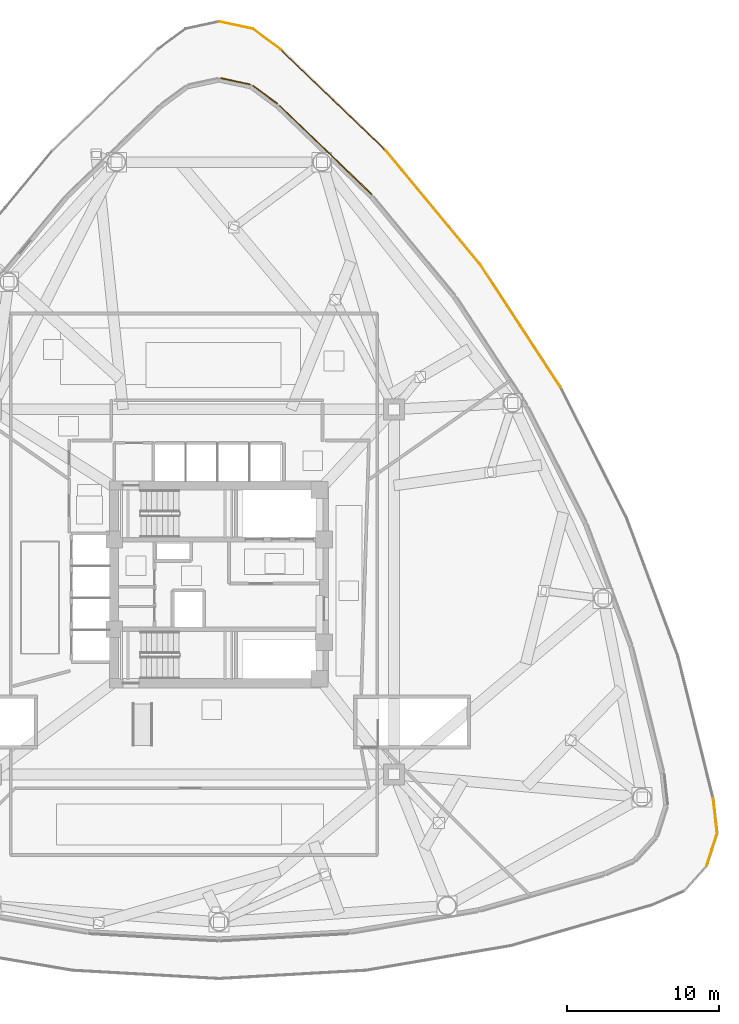
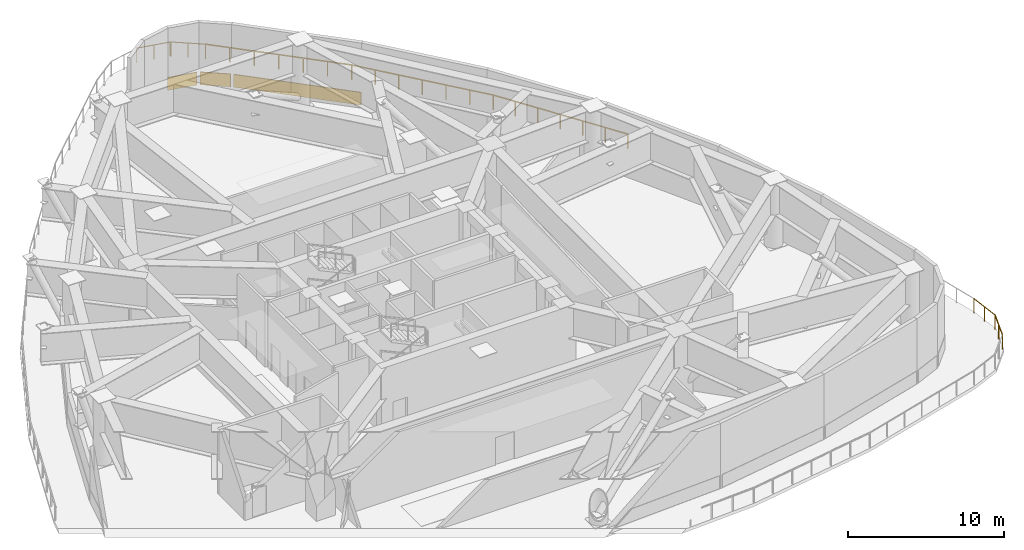
# One storey, part 9 of 9: 7 railings, 3 coverings.
"""IFC4 building model written with IfcOpenShell, lengths in metres."""

from ifc_helpers import new_model, si_unit, direction, frame, origin, origin_2d, place, context, subcontext, project, spatial, rectangle, extrude, material, layer, layer_set, type_object, element, save


model = new_model("IFC4")

# Units and contexts
model_context = context("Model", 3, precision=1e-05, world=origin(), true_north=direction((0.0, 1.0)))
body_context = subcontext(model_context, "Body", "Model", "MODEL_VIEW")
ifc_project = project(units=[si_unit("LENGTHUNIT", "METRE"), si_unit("AREAUNIT", "SQUARE_METRE"), si_unit("VOLUMEUNIT", "CUBIC_METRE"), si_unit("PLANEANGLEUNIT", "RADIAN"), si_unit("MASSUNIT", "GRAM", prefix="KILO")], contexts=[model_context])

# Site, building, storey
site_placement = place(None, origin())
site = spatial("IfcSite", under=ifc_project, at=site_placement, CompositionType="ELEMENT")
building_placement = place(site_placement, origin())
building = spatial("IfcBuilding", under=site, at=building_placement, Name="Tavelor Broadcast Tower", CompositionType="ELEMENT")
storey_placement = place(building_placement, frame((0.0, 0.0, 22.199951171875)))
storey = spatial("IfcBuildingStorey", under=building, at=storey_placement, Name="L04", CompositionType="ELEMENT", Elevation=22.199951171875)

# Railings
ifc_material_1 = material(Name="Steel S355", Category="steel")
railing_type = type_object("IfcRailingType", Name="Planted Terrace Laminated Glass Balustrade 1150 mm", PredefinedType="BALUSTRADE", material=ifc_material_1)
railing_1_placement = place(storey_placement, frame((54.02880859375, 80.173583984375, 0.0)))
element("IfcRailing", 1, at=railing_1_placement, inside=storey, type_object=railing_type, Name="L04 Cascading Garden Terrace 1 Balustrade #94", PredefinedType="BALUSTRADE", context=body_context, shape_type="SweptSolid", body=[
    extrude(rectangle(XDim=0.048095703125, YDim=0.048095703125, at=origin_2d()), frame((0.0, 0.0, 1.1259765625), z_axis=(-0.804383976987, 0.594109768954, 0.0), x_axis=(-0.594109768954, -0.804383976987, 0.0)), (0.0, 0.0, 1.0), 2.294189453125),
    extrude(rectangle(XDim=0.0419921875, YDim=0.0419921875, at=origin_2d()), origin(), (0.0, 0.0, 1.0), 1.101806640625),
    extrude(rectangle(XDim=0.0419921875, YDim=0.0419921875, at=origin_2d()), frame((-0.9228515625, 0.681640625, 0.0)), (0.0, 0.0, 1.0), 1.101806640625),
    extrude(rectangle(XDim=0.0419921875, YDim=0.0419921875, at=origin_2d()), frame((-1.845458984375, 1.363037109375, 0.0)), (0.0, 0.0, 1.0), 1.101806640625),
])
railing_2_placement = place(storey_placement, frame((52.2216796875, 81.519287109375, 0.0)))
element("IfcRailing", 2, at=railing_2_placement, inside=storey, type_object=railing_type, Name="L04 Cascading Garden Terrace 1 Balustrade #95", PredefinedType="BALUSTRADE", context=body_context, shape_type="SweptSolid", body=[
    extrude(rectangle(XDim=0.048095703125, YDim=0.048095703125, at=origin_2d()), frame((0.0, 0.0, 1.1259765625), z_axis=(-0.977593237973, 0.210502876629, 0.0), x_axis=(-0.210502876629, -0.977593237973, 0.0)), (0.0, 0.0, 1.0), 2.294189453125),
    extrude(rectangle(XDim=0.0419921875, YDim=0.0419921875, at=origin_2d()), origin(), (0.0, 0.0, 1.0), 1.101806640625),
    extrude(rectangle(XDim=0.0419921875, YDim=0.0419921875, at=origin_2d()), frame((-1.121337890625, 0.241455078125, 0.0)), (0.0, 0.0, 1.0), 1.101806640625),
    extrude(rectangle(XDim=0.0419921875, YDim=0.0419921875, at=origin_2d()), frame((-2.24267578125, 0.48291015625, 0.0)), (0.0, 0.0, 1.0), 1.101806640625),
])
railing_3_placement = place(storey_placement, frame((82.0341796875, 26.480712890625, 0.0)))
element("IfcRailing", 3, at=railing_3_placement, inside=storey, type_object=railing_type, Name="L04 Cascading Garden Terrace 1 Balustrade #116", PredefinedType="BALUSTRADE", context=body_context, shape_type="SweptSolid", body=[
    extrude(rectangle(XDim=0.048095703125, YDim=0.048095703125, at=origin_2d()), frame((0.0, 0.0, 1.1259765625), z_axis=(0.306601639197, 0.951837924671, 0.0), x_axis=(-0.951837924671, 0.306601639197, 0.0)), (0.0, 0.0, 1.0), 2.294189453125),
    extrude(rectangle(XDim=0.0419921875, YDim=0.0419921875, at=origin_2d()), origin(), (0.0, 0.0, 1.0), 1.101806640625),
    extrude(rectangle(XDim=0.0419921875, YDim=0.0419921875, at=origin_2d()), frame((0.3515625, 1.091796875, 0.0)), (0.0, 0.0, 1.0), 1.101806640625),
    extrude(rectangle(XDim=0.0419921875, YDim=0.0419921875, at=origin_2d()), frame((0.703369140625, 2.18359375, 0.0)), (0.0, 0.0, 1.0), 1.101806640625),
])
railing_4_placement = place(storey_placement, frame((82.7333984375, 28.62255859375, 0.0)))
element("IfcRailing", 4, at=railing_4_placement, inside=storey, type_object=railing_type, Name="L04 Cascading Garden Terrace 1 Balustrade #117", PredefinedType="BALUSTRADE", context=body_context, shape_type="SweptSolid", body=[
    extrude(rectangle(XDim=0.048095703125, YDim=0.048095703125, at=origin_2d()), frame((0.0, 0.0, 1.1259765625), z_axis=(-0.112381956405, 0.993665082346, 0.0), x_axis=(-0.993665082346, -0.112381956405, 0.0)), (0.0, 0.0, 1.0), 2.294189453125),
    extrude(rectangle(XDim=0.0419921875, YDim=0.0419921875, at=origin_2d()), origin(), (0.0, 0.0, 1.0), 1.101806640625),
    extrude(rectangle(XDim=0.0419921875, YDim=0.0419921875, at=origin_2d()), frame((-0.12890625, 1.1396484375, 0.0)), (0.0, 0.0, 1.0), 1.101806640625),
    extrude(rectangle(XDim=0.0419921875, YDim=0.0419921875, at=origin_2d()), frame((-0.2578125, 2.279541015625, 0.0)), (0.0, 0.0, 1.0), 1.101806640625),
])
railing_5_placement = place(storey_placement, frame((72.44189453125, 57.9501953125, 0.0)))
element("IfcRailing", 5, at=railing_5_placement, inside=storey, type_object=railing_type, Name="L04 Cascading Garden Terrace 1 Balustrade #121", PredefinedType="BALUSTRADE", context=body_context, shape_type="SweptSolid", body=[
    extrude(rectangle(XDim=0.048095703125, YDim=0.048095703125, at=origin_2d()), frame((0.0, 0.0, 1.1259765625), z_axis=(-0.547790568288, 0.836615499077, 0.0), x_axis=(-0.836615499077, -0.547790568288, 0.0)), (0.0, 0.0, 1.0), 9.672607421875),
    extrude(rectangle(XDim=0.0419921875, YDim=0.0419921875, at=origin_2d()), origin(), (0.0, 0.0, 1.0), 1.101806640625),
    extrude(rectangle(XDim=0.0419921875, YDim=0.0419921875, at=origin_2d()), frame((-0.883056640625, 1.3486328125, 0.0)), (0.0, 0.0, 1.0), 1.101806640625),
    extrude(rectangle(XDim=0.0419921875, YDim=0.0419921875, at=origin_2d()), frame((-1.76611328125, 2.697509765625, 0.0)), (0.0, 0.0, 1.0), 1.101806640625),
    extrude(rectangle(XDim=0.0419921875, YDim=0.0419921875, at=origin_2d()), frame((-2.6494140625, 4.046142578125, 0.0)), (0.0, 0.0, 1.0), 1.101806640625),
    extrude(rectangle(XDim=0.0419921875, YDim=0.0419921875, at=origin_2d()), frame((-3.532470703125, 5.394775390625, 0.0)), (0.0, 0.0, 1.0), 1.101806640625),
    extrude(rectangle(XDim=0.0419921875, YDim=0.0419921875, at=origin_2d()), frame((-4.41552734375, 6.74365234375, 0.0)), (0.0, 0.0, 1.0), 1.101806640625),
    extrude(rectangle(XDim=0.0419921875, YDim=0.0419921875, at=origin_2d()), frame((-5.298583984375, 8.09228515625, 0.0)), (0.0, 0.0, 1.0), 1.101806640625),
])
railing_6_placement = place(storey_placement, frame((67.14990234375, 66.033447265625, 0.0)))
element("IfcRailing", 6, at=railing_6_placement, inside=storey, type_object=railing_type, Name="L04 Cascading Garden Terrace 1 Balustrade #122", PredefinedType="BALUSTRADE", context=body_context, shape_type="SweptSolid", body=[
    extrude(rectangle(XDim=0.048095703125, YDim=0.048095703125, at=origin_2d()), frame((0.0, 0.0, 1.1259765625), z_axis=(-0.638069176268, 0.769979042765, 0.0), x_axis=(-0.769979042765, -0.638069176268, 0.0)), (0.0, 0.0, 1.0), 9.67236328125),
    extrude(rectangle(XDim=0.0419921875, YDim=0.0419921875, at=origin_2d()), origin(), (0.0, 0.0, 1.0), 1.101806640625),
    extrude(rectangle(XDim=0.0419921875, YDim=0.0419921875, at=origin_2d()), frame((-1.028564453125, 1.2412109375, 0.0)), (0.0, 0.0, 1.0), 1.101806640625),
    extrude(rectangle(XDim=0.0419921875, YDim=0.0419921875, at=origin_2d()), frame((-2.05712890625, 2.482421875, 0.0)), (0.0, 0.0, 1.0), 1.101806640625),
    extrude(rectangle(XDim=0.0419921875, YDim=0.0419921875, at=origin_2d()), frame((-3.0859375, 3.7236328125, 0.0)), (0.0, 0.0, 1.0), 1.101806640625),
    extrude(rectangle(XDim=0.0419921875, YDim=0.0419921875, at=origin_2d()), frame((-4.114501953125, 4.965087890625, 0.0)), (0.0, 0.0, 1.0), 1.101806640625),
    extrude(rectangle(XDim=0.0419921875, YDim=0.0419921875, at=origin_2d()), frame((-5.14306640625, 6.206298828125, 0.0)), (0.0, 0.0, 1.0), 1.101806640625),
    extrude(rectangle(XDim=0.0419921875, YDim=0.0419921875, at=origin_2d()), frame((-6.171630859375, 7.447509765625, 0.0)), (0.0, 0.0, 1.0), 1.101806640625),
])
railing_7_placement = place(storey_placement, frame((60.98583984375, 73.472900390625, 0.0)))
element("IfcRailing", 7, at=railing_7_placement, inside=storey, type_object=railing_type, Name="L04 Cascading Garden Terrace 1 Balustrade #123", PredefinedType="BALUSTRADE", context=body_context, shape_type="SweptSolid", body=[
    extrude(rectangle(XDim=0.048095703125, YDim=0.048095703125, at=origin_2d()), frame((0.0, 0.0, 1.1259765625), z_axis=(-0.720308535959, 0.69365381353, 0.0), x_axis=(-0.69365381353, -0.720308535959, 0.0)), (0.0, 0.0, 1.0), 9.67236328125),
    extrude(rectangle(XDim=0.0419921875, YDim=0.0419921875, at=origin_2d()), origin(), (0.0, 0.0, 1.0), 1.101806640625),
    extrude(rectangle(XDim=0.0419921875, YDim=0.0419921875, at=origin_2d()), frame((-1.1611328125, 1.1181640625, 0.0)), (0.0, 0.0, 1.0), 1.101806640625),
    extrude(rectangle(XDim=0.0419921875, YDim=0.0419921875, at=origin_2d()), frame((-2.322265625, 2.236328125, 0.0)), (0.0, 0.0, 1.0), 1.101806640625),
    extrude(rectangle(XDim=0.0419921875, YDim=0.0419921875, at=origin_2d()), frame((-3.4833984375, 3.3544921875, 0.0)), (0.0, 0.0, 1.0), 1.101806640625),
    extrude(rectangle(XDim=0.0419921875, YDim=0.0419921875, at=origin_2d()), frame((-4.644775390625, 4.472900390625, 0.0)), (0.0, 0.0, 1.0), 1.101806640625),
    extrude(rectangle(XDim=0.0419921875, YDim=0.0419921875, at=origin_2d()), frame((-5.805908203125, 5.591064453125, 0.0)), (0.0, 0.0, 1.0), 1.101806640625),
    extrude(rectangle(XDim=0.0419921875, YDim=0.0419921875, at=origin_2d()), frame((-6.967041015625, 6.709228515625, 0.0)), (0.0, 0.0, 1.0), 1.101806640625),
])

# Coverings
ifc_material_2 = material(Name="Kiln-Fired Glazed Terracotta", Category="masonry")
ifc_layer = layer(ifc_material_2, 0.06494140625)
ifc_layer_set = layer_set([ifc_layer], Name="Kiln-Fired Glazed Terracotta")
covering_type = type_object("IfcCoveringType", Name="Ribbed Terracotta Rainscreen Spandrel Cladding 65 mm", PredefinedType="CLADDING", material=ifc_layer_set)
for number, where, z_axis, x_axis, name in (
    (8, (53.020263671875, 77.18896484375, 0.050048828125), (0.0, 0.0, 1.0), (-0.80437563527, 0.594121062902, 0.0), "L04 Terracotta Spandrel Rainscreen 01"),
    (9, (51.06982421875, 78.069580078125, 0.050048828125), (0.0, 0.0, 1.0), (-0.977599937765, 0.210471759821, 0.0), "L04 Terracotta Spandrel Rainscreen 02"),
):
    element("IfcCovering", number, at=place(storey_placement, frame(where, z_axis=z_axis, x_axis=x_axis)), inside=storey, type_object=covering_type, Name=name, PredefinedType="CLADDING", context=body_context, shape_type="SweptSolid", body=[
        extrude(rectangle(XDim=1.989013671875, YDim=0.06494140625, at=origin_2d()), origin(), (0.0, 0.0, 1.0), 1.0),
    ])
covering_placement = place(storey_placement, frame((57.002197265625, 73.552001953125, 0.050048828125), z_axis=(0.0, 0.0, 1.0), x_axis=(-0.720309024888, 0.693653305813, 0.0)))
element("IfcCovering", 10, at=covering_placement, inside=storey, type_object=covering_type, Name="L04 Terracotta Spandrel Rainscreen 30", PredefinedType="CLADDING", context=body_context, shape_type="SweptSolid", body=[
    extrude(rectangle(XDim=8.411865234375, YDim=0.06494140625, at=origin_2d()), origin(), (0.0, 0.0, 1.0), 1.0),
])

save(model, "model.ifc")
